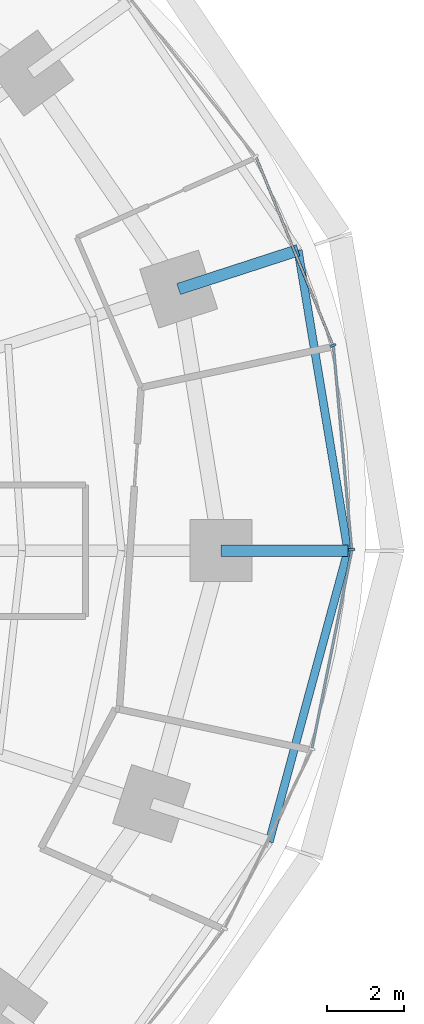
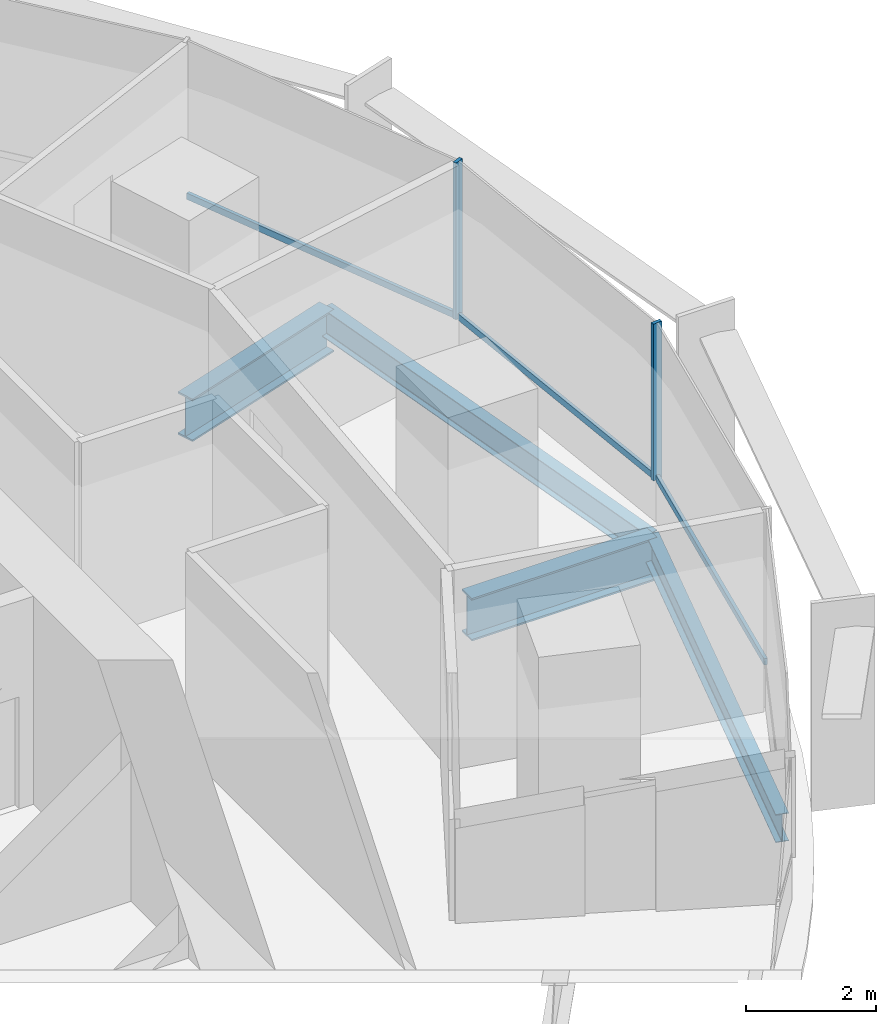
# One storey, part 6 of 14: 5 members, 4 beams, 2 elements without a shape of their own.
"""IFC4 building model written with IfcOpenShell, lengths in metres."""

from ifc_helpers import new_model, si_unit, direction, frame, origin, origin_2d, place, context, subcontext, project, spatial, rectangle, i_section, extrude, material, material_profile, profile_set, type_object, element, aggregate, save


model = new_model("IFC4")

# Units and contexts
model_context = context("Model", 3, precision=1e-05, world=origin(), true_north=direction((0.0, 1.0)))
body_context = subcontext(model_context, "Body", "Model", "MODEL_VIEW")
ifc_project = project(units=[si_unit("LENGTHUNIT", "METRE"), si_unit("AREAUNIT", "SQUARE_METRE"), si_unit("VOLUMEUNIT", "CUBIC_METRE"), si_unit("PLANEANGLEUNIT", "RADIAN"), si_unit("MASSUNIT", "GRAM", prefix="KILO")], contexts=[model_context])

# Site, building, storey
site_placement = place(None, origin())
site = spatial("IfcSite", under=ifc_project, at=site_placement, CompositionType="ELEMENT")
building_placement = place(site_placement, origin())
building = spatial("IfcBuilding", under=site, at=building_placement, Name="Marramba Exchange Tower", CompositionType="ELEMENT")
storey_placement = place(building_placement, frame((0.0, 0.0, 127.5)))
storey = spatial("IfcBuildingStorey", under=building, at=storey_placement, Name="L30", CompositionType="ELEMENT", Elevation=127.5)

# Beams
ifc_material_1 = material(Name="Steel AS/NZS 3679.2 grade 300", Category="steel")
ifc_material_profile_1 = material_profile(ifc_material_1, i_section(OverallWidth=0.300048828125, OverallDepth=0.800048828125, WebThickness=0.013916015625, FlangeThickness=0.031982421875, at=origin_2d()), Name="800WB192")
ifc_profile_set_1 = profile_set([ifc_material_profile_1], Name="Steel AS/NZS 3679.2 grade 300")
beam_type_1 = type_object("IfcBeamType", Name="Cantilever girder 800WB192", PredefinedType="BEAM", material=ifc_profile_set_1)
beam_1_placement = place(storey_placement, frame((21.89990234375, 0.0, -0.56005859375), z_axis=(1.0, 0.0, 0.0), x_axis=(0.0, 1.0, 0.0)))
element("IfcBeam", 1, at=beam_1_placement, inside=storey, type_object=beam_type_1, Name="Cantilever girder L30 TC01", PredefinedType="BEAM", context=body_context, shape_type="SweptSolid", body=[
    extrude(i_section(OverallWidth=0.300048828125, OverallDepth=0.800048828125, WebThickness=0.013916015625, FlangeThickness=0.031982421875, at=origin_2d()), origin(), (0.0, 0.0, 1.0), 3.281982421875),
])
beam_2_placement = place(storey_placement, frame((20.808349609375, 6.760986328125, -0.56005859375), z_axis=(0.95105562578, 0.309019735087, 0.0), x_axis=(-0.309019735087, 0.95105562578, 0.0)))
element("IfcBeam", 2, at=beam_2_placement, inside=storey, type_object=beam_type_1, Name="Cantilever girder L30 TC02", PredefinedType="BEAM", context=body_context, shape_type="SweptSolid", body=[
    extrude(i_section(OverallWidth=0.300048828125, OverallDepth=0.800048828125, WebThickness=0.013916015625, FlangeThickness=0.031982421875, at=origin_2d()), origin(), (0.0, 0.0, 1.0), 3.24560546875),
])

# Curtain wall, members
ifc_material_2 = material(Name="Aluminium framing, bronze anodised", Category="aluminium")
curtain_wall_type = type_object("IfcCurtainWallType", Name="Office ribbon curtain wall", PredefinedType="USERDEFINED", material=ifc_material_2)
curtain_wall_1_placement = place(storey_placement, origin())
curtain_wall_1 = element("IfcCurtainWall", 3, at=curtain_wall_1_placement, inside=storey, type_object=curtain_wall_type, Name="Curtain wall CW4 L30 F01-F05", ObjectType="RIBBON CURTAIN WALL", PredefinedType="USERDEFINED")
ifc_material_3 = material(Name="Aluminium mullion, bronze anodised", Category="aluminium")
ifc_material_profile_2 = material_profile(ifc_material_3, rectangle(XDim=0.159912109375, YDim=0.06005859375, at=origin_2d()), Name="CW4 mullion 60x160")
ifc_profile_set_2 = profile_set([ifc_material_profile_2], Name="Aluminium mullion, bronze anodised")
member_type_1 = type_object("IfcMemberType", Name="Office ribbon curtain wall mullion", PredefinedType="MULLION", material=ifc_profile_set_2)
member_1_placement = place(storey_placement, frame((25.279296875, 0.02978515625, 0.800048828125), z_axis=(0.0, 0.0, 1.0), x_axis=(-0.995994646311, -0.089412887889, 0.0)))
member_1 = element("IfcMember", 4, at=member_1_placement, type_object=member_type_1, Name="CW4 mullion 1", PredefinedType="MULLION", context=body_context, shape_type="SweptSolid", body=[
    extrude(rectangle(XDim=0.159912109375, YDim=0.06005859375, at=origin_2d()), origin(), (0.0, 0.0, 1.0), 2.93994140625),
])
member_2_placement = place(storey_placement, frame((24.79736328125, 5.301025390625, 0.800048828125), z_axis=(0.0, 0.0, 1.0), x_axis=(-0.925878584668, -0.377821183171, 0.0)))
member_2 = element("IfcMember", 5, at=member_2_placement, type_object=member_type_1, Name="CW4 mullion 1", PredefinedType="MULLION", context=body_context, shape_type="SweptSolid", body=[
    extrude(rectangle(XDim=0.159912109375, YDim=0.06005859375, at=origin_2d()), origin(), (0.0, 0.0, 1.0), 2.93994140625),
])
ifc_material_4 = material(Name="Aluminium transom, bronze anodised", Category="aluminium")
ifc_material_profile_3 = material_profile(ifc_material_4, rectangle(XDim=0.06005859375, YDim=0.1201171875, at=origin_2d()), Name="CW4 transom 60x120")
ifc_profile_set_3 = profile_set([ifc_material_profile_3], Name="Aluminium transom, bronze anodised")
member_type_2 = type_object("IfcMemberType", Name="Office ribbon curtain wall transom", PredefinedType="USERDEFINED", material=ifc_profile_set_3)
member_3_placement = place(storey_placement, frame((25.276611328125, 0.059814453125, 0.830078125), z_axis=(-0.089412838135, 0.995994650777, 0.0), x_axis=(-0.995994650777, -0.089412838135, 0.0)))
member_3 = element("IfcMember", 6, at=member_3_placement, type_object=member_type_2, Name="CW4 sill transom", ObjectType="TRANSOM", PredefinedType="USERDEFINED", context=body_context, shape_type="SweptSolid", body=[
    extrude(rectangle(XDim=0.06005859375, YDim=0.1201171875, at=origin_2d()), origin(), (0.0, 0.0, 1.0), 5.234375),
])
member_4_placement = place(storey_placement, frame((24.785888671875, 5.328857421875, 0.830078125), z_axis=(-0.377838039034, 0.925871706155, 0.0), x_axis=(-0.925871706155, -0.377838039034, 0.0)))
member_4 = element("IfcMember", 7, at=member_4_placement, type_object=member_type_2, Name="CW4 sill transom", ObjectType="TRANSOM", PredefinedType="USERDEFINED", context=body_context, shape_type="SweptSolid", body=[
    extrude(rectangle(XDim=0.06005859375, YDim=0.1201171875, at=origin_2d()), origin(), (0.0, 0.0, 1.0), 5.2158203125),
])
aggregate(curtain_wall_1, [member_1, member_3, member_2, member_4])

# Curtain wall, member
curtain_wall_2_placement = place(storey_placement, origin())
curtain_wall_2 = element("IfcCurtainWall", 8, at=curtain_wall_2_placement, inside=storey, type_object=curtain_wall_type, Name="Curtain wall CW4 L30 F26-F30", ObjectType="RIBBON CURTAIN WALL", PredefinedType="USERDEFINED")
member_5_placement = place(storey_placement, frame((24.258056640625, -5.094970703125, 0.830078125), z_axis=(0.197028520451, 0.980397757101, 0.0), x_axis=(-0.980397757101, 0.197028520451, 0.0)))
member_5 = element("IfcMember", 9, at=member_5_placement, type_object=member_type_2, Name="CW4 sill transom", ObjectType="TRANSOM", PredefinedType="USERDEFINED", context=body_context, shape_type="SweptSolid", body=[
    extrude(rectangle(XDim=0.06005859375, YDim=0.1201171875, at=origin_2d()), origin(), (0.0, 0.0, 1.0), 5.19677734375),
])
aggregate(curtain_wall_2, [member_5])

# Beams
ifc_material_5 = material(Name="Steel AS/NZS 3679.1 grade 300", Category="steel")
ifc_material_profile_4 = material_profile(ifc_material_5, i_section(OverallWidth=0.208984375, OverallDepth=0.528076171875, WebThickness=0.009521484375, FlangeThickness=0.01318359375, FilletRadius=0.013916015625, at=origin_2d()), Name="530UB82.0")
ifc_profile_set_4 = profile_set([ifc_material_profile_4], Name="Steel AS/NZS 3679.1 grade 300")
beam_type_2 = type_object("IfcBeamType", Name="Slab edge beam 530UB82.0", PredefinedType="SPANDREL", material=ifc_profile_set_4)
beam_3_placement = place(storey_placement, frame((25.181884765625, 0.0, -0.424072265625), z_axis=(-0.163518559175, 0.986540258076, 0.0), x_axis=(-0.986540258076, -0.163518559175, 0.0)))
element("IfcBeam", 10, at=beam_3_placement, inside=storey, type_object=beam_type_2, Name="Slab edge beam L30 TC01-TC02", PredefinedType="SPANDREL", context=body_context, shape_type="SweptSolid", body=[
    extrude(i_section(OverallWidth=0.208984375, OverallDepth=0.528076171875, WebThickness=0.009521484375, FlangeThickness=0.01318359375, FilletRadius=0.013916015625, at=origin_2d()), origin(), (0.0, 0.0, 1.0), 7.869873046875),
])
beam_4_placement = place(storey_placement, frame((23.148681640625, -7.521484375, -0.424072265625), z_axis=(0.260953221575, 0.965351446961, 0.0), x_axis=(-0.965351446961, 0.260953221575, 0.0)))
element("IfcBeam", 11, at=beam_4_placement, inside=storey, type_object=beam_type_2, Name="Slab edge beam L30 TC20-TC01", PredefinedType="SPANDREL", context=body_context, shape_type="SweptSolid", body=[
    extrude(i_section(OverallWidth=0.208984375, OverallDepth=0.528076171875, WebThickness=0.009521484375, FlangeThickness=0.01318359375, FilletRadius=0.013916015625, at=origin_2d()), origin(), (0.0, 0.0, 1.0), 7.79150390625),
])

save(model, "model.ifc")
